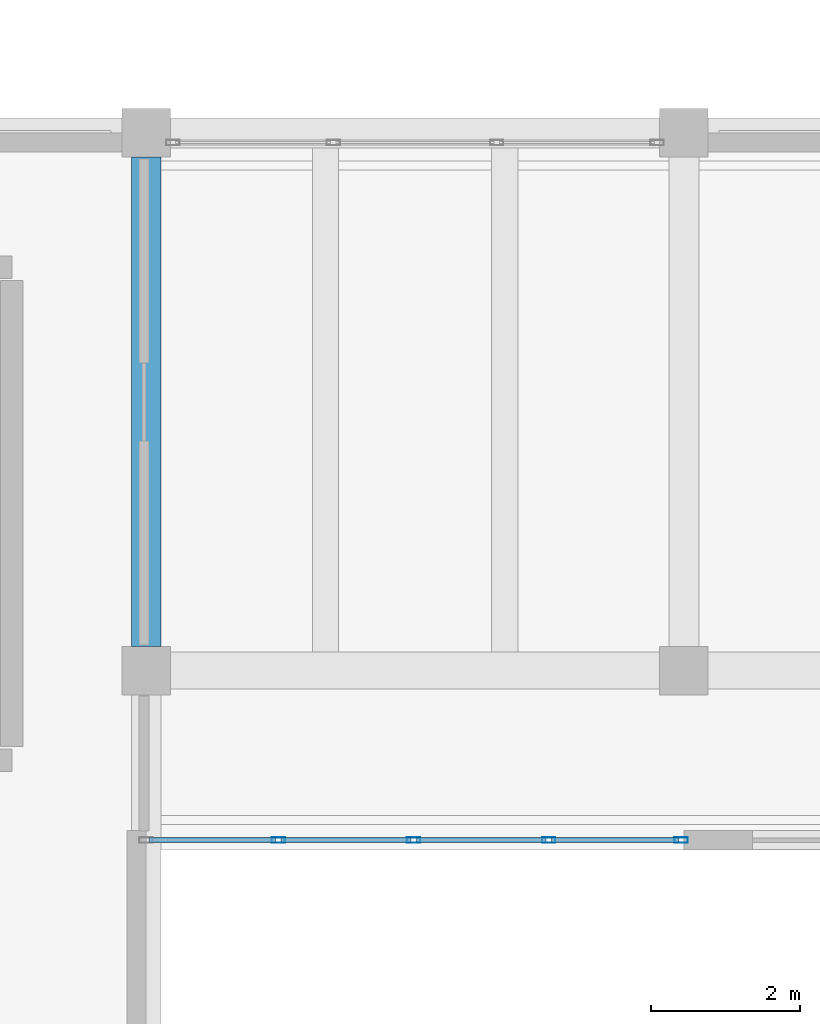
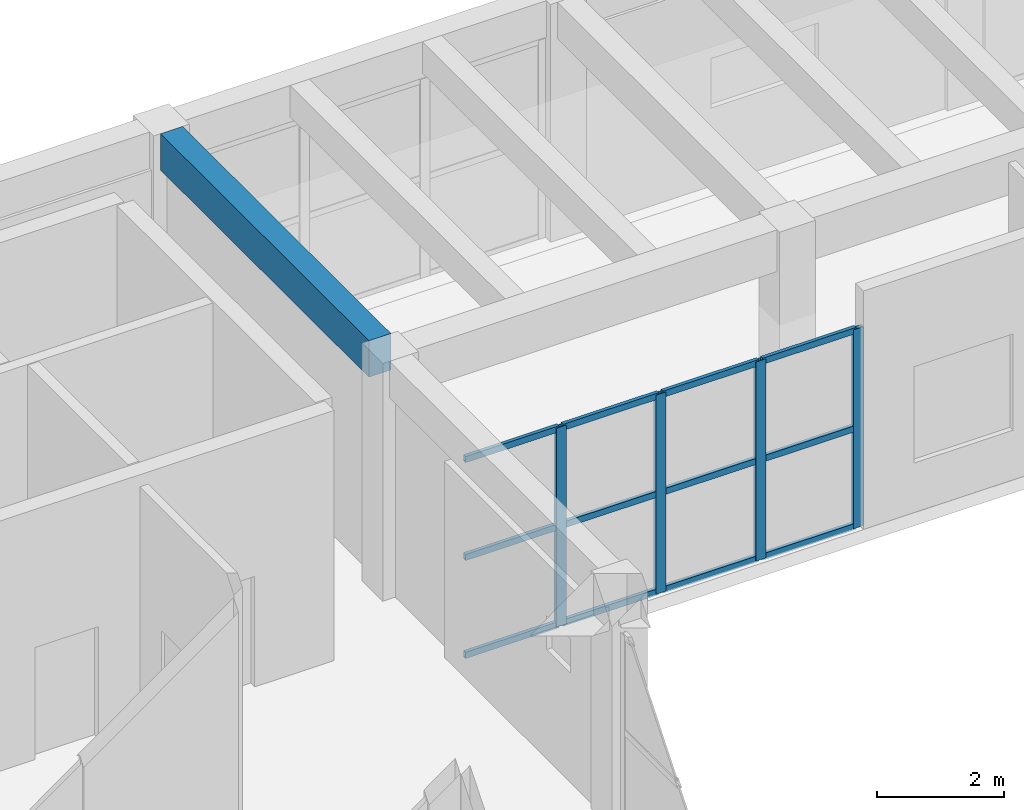
# One storey, part 75 of 155: 16 members, 1 beam, 1 element without a shape of its own.
"""IFC4 building model written with IfcOpenShell, lengths in metres."""

from ifc_helpers import new_model, si_unit, direction, frame, origin, origin_2d, place, context, subcontext, project, spatial, rectangle, hollow_rectangle, extrude, material, material_profile, profile_set, type_object, element, aggregate, save


model = new_model("IFC4")

# Units and contexts
model_context = context("Model", 3, precision=1e-05, world=origin(), true_north=direction((0.0, 1.0)))
body_context = subcontext(model_context, "Body", "Model", "MODEL_VIEW")
ifc_project = project(units=[si_unit("LENGTHUNIT", "METRE"), si_unit("AREAUNIT", "SQUARE_METRE"), si_unit("VOLUMEUNIT", "CUBIC_METRE"), si_unit("PLANEANGLEUNIT", "RADIAN"), si_unit("MASSUNIT", "GRAM", prefix="KILO")], contexts=[model_context])

# Site, building, storey
site_placement = place(None, origin())
site = spatial("IfcSite", under=ifc_project, at=site_placement, CompositionType="ELEMENT")
building_placement = place(site_placement, origin())
building = spatial("IfcBuilding", under=site, at=building_placement, Name="Bramvelor Terrace Health Centre", CompositionType="ELEMENT")
storey_placement = place(building_placement, origin())
storey = spatial("IfcBuildingStorey", under=building, at=storey_placement, Name="L01", CompositionType="ELEMENT", Elevation=0.0)

# Beam
ifc_material_1 = material(Name="Concrete C40/50", Category="concrete")
ifc_material_profile_1 = material_profile(ifc_material_1, rectangle(XDim=0.39990234375, YDim=0.699951171875, at=origin_2d()), Name="RC 400x700")
ifc_profile_set_1 = profile_set([ifc_material_profile_1], Name="Concrete C40/50")
beam_type = type_object("IfcBeamType", Name="BM-RC-G700", PredefinedType="BEAM", material=ifc_profile_set_1)
beam_placement = place(storey_placement, frame((14.39990234375, 108.324951171875, 4.2099609375), z_axis=(0.0, 1.0, 0.0), x_axis=(-1.0, 0.0, 0.0)))
element("IfcBeam", 1, at=beam_placement, inside=storey, type_object=beam_type, Name="L01 Floor Girder", PredefinedType="BEAM", context=body_context, shape_type="SweptSolid", body=[
    extrude(rectangle(XDim=0.39990234375, YDim=0.699951171875, at=origin_2d()), origin(), (0.0, 0.0, 1.0), 6.550048828125),
])

# Curtain wall, members
ifc_material_2 = material(Name="Anodized aluminium and double low-E glass", Category="aluminium")
curtain_wall_type = type_object("IfcCurtainWallType", Name="CW-SYS-10", PredefinedType="NOTDEFINED", material=ifc_material_2)
curtain_wall_placement = place(storey_placement, origin())
curtain_wall = element("IfcCurtainWall", 2, at=curtain_wall_placement, inside=storey, type_object=curtain_wall_type, Name="L01 Unitized Curtain Wall 68", PredefinedType="NOTDEFINED")
ifc_material_3 = material(Name="Anodized aluminium 6063-T6", Category="aluminium")
ifc_material_profile_2 = material_profile(ifc_material_3, hollow_rectangle(XDim=0.074951171875, YDim=0.179931640625, WallThickness=0.00341796875, at=origin_2d()), Name="ALU-MUL 75x180x3.5")
ifc_profile_set_2 = profile_set([ifc_material_profile_2], Name="Anodized aluminium 6063-T6")
member_type_1 = type_object("IfcMemberType", Name="CW-MUL-65x180", PredefinedType="MULLION", material=ifc_profile_set_2)
member_1_placement = place(storey_placement, frame((21.5625, 105.72998046875, 0.0), z_axis=(0.0, 0.0, 1.0), x_axis=(0.0, -1.0, 0.0)))
member_1 = element("IfcMember", 3, at=member_1_placement, type_object=member_type_1, Name="CW-10 mullion 1", PredefinedType="MULLION", context=body_context, shape_type="SweptSolid", body=[
    extrude(hollow_rectangle(XDim=0.074951171875, YDim=0.179931640625, WallThickness=0.00341796875, at=origin_2d()), origin(), (0.0, 0.0, 1.0), 3.820068359375),
])
member_2_placement = place(storey_placement, frame((19.7900390625, 105.72998046875, 0.0), z_axis=(0.0, 0.0, 1.0), x_axis=(0.0, -1.0, 0.0)))
member_2 = element("IfcMember", 4, at=member_2_placement, type_object=member_type_1, Name="CW-10 mullion 2", PredefinedType="MULLION", context=body_context, shape_type="SweptSolid", body=[
    extrude(hollow_rectangle(XDim=0.074951171875, YDim=0.179931640625, WallThickness=0.00341796875, at=origin_2d()), origin(), (0.0, 0.0, 1.0), 3.820068359375),
])
member_3_placement = place(storey_placement, frame((17.97998046875, 105.72998046875, 0.0), z_axis=(0.0, 0.0, 1.0), x_axis=(0.0, -1.0, 0.0)))
member_3 = element("IfcMember", 5, at=member_3_placement, type_object=member_type_1, Name="CW-10 mullion 3", PredefinedType="MULLION", context=body_context, shape_type="SweptSolid", body=[
    extrude(hollow_rectangle(XDim=0.074951171875, YDim=0.179931640625, WallThickness=0.00341796875, at=origin_2d()), origin(), (0.0, 0.0, 1.0), 3.820068359375),
])
member_4_placement = place(storey_placement, frame((16.169921875, 105.72998046875, 0.0), z_axis=(0.0, 0.0, 1.0), x_axis=(0.0, -1.0, 0.0)))
member_4 = element("IfcMember", 6, at=member_4_placement, type_object=member_type_1, Name="CW-10 mullion 4", PredefinedType="MULLION", context=body_context, shape_type="SweptSolid", body=[
    extrude(hollow_rectangle(XDim=0.074951171875, YDim=0.179931640625, WallThickness=0.00341796875, at=origin_2d()), origin(), (0.0, 0.0, 1.0), 3.820068359375),
])
ifc_material_4 = material(Name="Anodized aluminium 6063-T6", Category="aluminium")
ifc_material_profile_3 = material_profile(ifc_material_4, hollow_rectangle(XDim=0.06494140625, YDim=0.1201171875, WallThickness=0.0029296875, at=origin_2d()), Name="ALU-TRN 65x120x3.0")
ifc_profile_set_3 = profile_set([ifc_material_profile_3], Name="Anodized aluminium 6063-T6")
member_type_2 = type_object("IfcMemberType", Name="CW-TRN-65x150", PredefinedType="USERDEFINED", material=ifc_profile_set_3)
member_5_placement = place(storey_placement, frame((21.52490234375, 105.72998046875, 0.032470703125), z_axis=(-1.0, 0.0, 0.0), x_axis=(0.0, -1.0, 0.0)))
member_5 = element("IfcMember", 7, at=member_5_placement, type_object=member_type_2, Name="CW-10 transom 1.1", ObjectType="TRANSOM", PredefinedType="USERDEFINED", context=body_context, shape_type="SweptSolid", body=[
    extrude(hollow_rectangle(XDim=0.06494140625, YDim=0.1201171875, WallThickness=0.0029296875, at=origin_2d()), origin(), (0.0, 0.0, 1.0), 1.697509765625),
])
member_6_placement = place(storey_placement, frame((21.52490234375, 105.72998046875, 1.909912109375), z_axis=(-1.0, 0.0, 0.0), x_axis=(0.0, -1.0, 0.0)))
member_6 = element("IfcMember", 8, at=member_6_placement, type_object=member_type_2, Name="CW-10 transom 1.2", ObjectType="TRANSOM", PredefinedType="USERDEFINED", context=body_context, shape_type="SweptSolid", body=[
    extrude(hollow_rectangle(XDim=0.06494140625, YDim=0.1201171875, WallThickness=0.0029296875, at=origin_2d()), origin(), (0.0, 0.0, 1.0), 1.697509765625),
])
member_7_placement = place(storey_placement, frame((21.52490234375, 105.72998046875, 3.78759765625), z_axis=(-1.0, 0.0, 0.0), x_axis=(0.0, -1.0, 0.0)))
member_7 = element("IfcMember", 9, at=member_7_placement, type_object=member_type_2, Name="CW-10 transom 1.3", ObjectType="TRANSOM", PredefinedType="USERDEFINED", context=body_context, shape_type="SweptSolid", body=[
    extrude(hollow_rectangle(XDim=0.06494140625, YDim=0.1201171875, WallThickness=0.0029296875, at=origin_2d()), origin(), (0.0, 0.0, 1.0), 1.697509765625),
])
member_8_placement = place(storey_placement, frame((19.75244140625, 105.72998046875, 0.032470703125), z_axis=(-1.0, 0.0, 0.0), x_axis=(0.0, -1.0, 0.0)))
member_8 = element("IfcMember", 10, at=member_8_placement, type_object=member_type_2, Name="CW-10 transom 2.1", ObjectType="TRANSOM", PredefinedType="USERDEFINED", context=body_context, shape_type="SweptSolid", body=[
    extrude(hollow_rectangle(XDim=0.06494140625, YDim=0.1201171875, WallThickness=0.0029296875, at=origin_2d()), origin(), (0.0, 0.0, 1.0), 1.73486328125),
])
member_9_placement = place(storey_placement, frame((19.75244140625, 105.72998046875, 1.909912109375), z_axis=(-1.0, 0.0, 0.0), x_axis=(0.0, -1.0, 0.0)))
member_9 = element("IfcMember", 11, at=member_9_placement, type_object=member_type_2, Name="CW-10 transom 2.2", ObjectType="TRANSOM", PredefinedType="USERDEFINED", context=body_context, shape_type="SweptSolid", body=[
    extrude(hollow_rectangle(XDim=0.06494140625, YDim=0.1201171875, WallThickness=0.0029296875, at=origin_2d()), origin(), (0.0, 0.0, 1.0), 1.73486328125),
])
member_10_placement = place(storey_placement, frame((19.75244140625, 105.72998046875, 3.78759765625), z_axis=(-1.0, 0.0, 0.0), x_axis=(0.0, -1.0, 0.0)))
member_10 = element("IfcMember", 12, at=member_10_placement, type_object=member_type_2, Name="CW-10 transom 2.3", ObjectType="TRANSOM", PredefinedType="USERDEFINED", context=body_context, shape_type="SweptSolid", body=[
    extrude(hollow_rectangle(XDim=0.06494140625, YDim=0.1201171875, WallThickness=0.0029296875, at=origin_2d()), origin(), (0.0, 0.0, 1.0), 1.73486328125),
])
member_11_placement = place(storey_placement, frame((17.9423828125, 105.72998046875, 0.032470703125), z_axis=(-1.0, 0.0, 0.0), x_axis=(0.0, -1.0, 0.0)))
member_11 = element("IfcMember", 13, at=member_11_placement, type_object=member_type_2, Name="CW-10 transom 3.1", ObjectType="TRANSOM", PredefinedType="USERDEFINED", context=body_context, shape_type="SweptSolid", body=[
    extrude(hollow_rectangle(XDim=0.06494140625, YDim=0.1201171875, WallThickness=0.0029296875, at=origin_2d()), origin(), (0.0, 0.0, 1.0), 1.73486328125),
])
member_12_placement = place(storey_placement, frame((17.9423828125, 105.72998046875, 1.909912109375), z_axis=(-1.0, 0.0, 0.0), x_axis=(0.0, -1.0, 0.0)))
member_12 = element("IfcMember", 14, at=member_12_placement, type_object=member_type_2, Name="CW-10 transom 3.2", ObjectType="TRANSOM", PredefinedType="USERDEFINED", context=body_context, shape_type="SweptSolid", body=[
    extrude(hollow_rectangle(XDim=0.06494140625, YDim=0.1201171875, WallThickness=0.0029296875, at=origin_2d()), origin(), (0.0, 0.0, 1.0), 1.73486328125),
])
member_13_placement = place(storey_placement, frame((17.9423828125, 105.72998046875, 3.78759765625), z_axis=(-1.0, 0.0, 0.0), x_axis=(0.0, -1.0, 0.0)))
member_13 = element("IfcMember", 15, at=member_13_placement, type_object=member_type_2, Name="CW-10 transom 3.3", ObjectType="TRANSOM", PredefinedType="USERDEFINED", context=body_context, shape_type="SweptSolid", body=[
    extrude(hollow_rectangle(XDim=0.06494140625, YDim=0.1201171875, WallThickness=0.0029296875, at=origin_2d()), origin(), (0.0, 0.0, 1.0), 1.73486328125),
])
member_14_placement = place(storey_placement, frame((16.132568359375, 105.72998046875, 0.032470703125), z_axis=(-1.0, 0.0, 0.0), x_axis=(0.0, -1.0, 0.0)))
member_14 = element("IfcMember", 16, at=member_14_placement, type_object=member_type_2, Name="CW-10 transom 4.1", ObjectType="TRANSOM", PredefinedType="USERDEFINED", context=body_context, shape_type="SweptSolid", body=[
    extrude(hollow_rectangle(XDim=0.06494140625, YDim=0.1201171875, WallThickness=0.0029296875, at=origin_2d()), origin(), (0.0, 0.0, 1.0), 1.697509765625),
])
member_15_placement = place(storey_placement, frame((16.132568359375, 105.72998046875, 1.909912109375), z_axis=(-1.0, 0.0, 0.0), x_axis=(0.0, -1.0, 0.0)))
member_15 = element("IfcMember", 17, at=member_15_placement, type_object=member_type_2, Name="CW-10 transom 4.2", ObjectType="TRANSOM", PredefinedType="USERDEFINED", context=body_context, shape_type="SweptSolid", body=[
    extrude(hollow_rectangle(XDim=0.06494140625, YDim=0.1201171875, WallThickness=0.0029296875, at=origin_2d()), origin(), (0.0, 0.0, 1.0), 1.697509765625),
])
member_16_placement = place(storey_placement, frame((16.132568359375, 105.72998046875, 3.78759765625), z_axis=(-1.0, 0.0, 0.0), x_axis=(0.0, -1.0, 0.0)))
member_16 = element("IfcMember", 18, at=member_16_placement, type_object=member_type_2, Name="CW-10 transom 4.3", ObjectType="TRANSOM", PredefinedType="USERDEFINED", context=body_context, shape_type="SweptSolid", body=[
    extrude(hollow_rectangle(XDim=0.06494140625, YDim=0.1201171875, WallThickness=0.0029296875, at=origin_2d()), origin(), (0.0, 0.0, 1.0), 1.697509765625),
])
aggregate(curtain_wall, [member_1, member_2, member_3, member_4, member_5, member_6, member_7, member_8, member_9, member_10, member_11, member_12, member_13, member_14, member_15, member_16])

save(model, "model.ifc")
